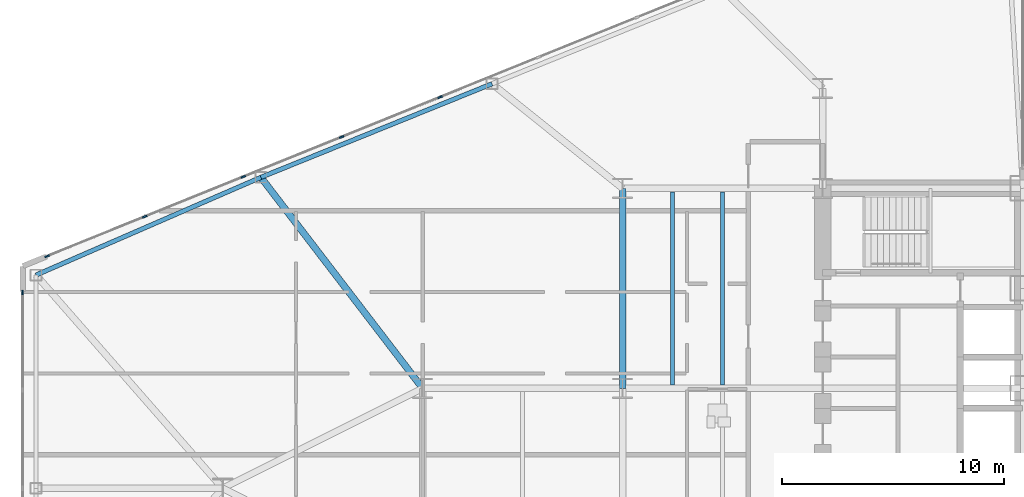
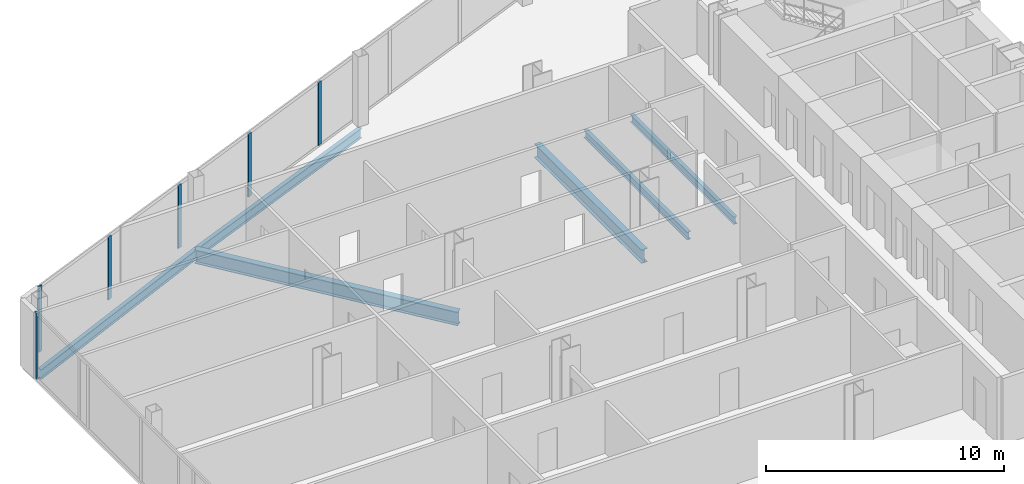
# One storey, part 6 of 25: 6 beams, 6 members, 2 elements without a shape of their own.
"""IFC4 building model written with IfcOpenShell, lengths in metres."""

from ifc_helpers import new_model, si_unit, direction, frame, origin, origin_2d, place, context, subcontext, project, spatial, rectangle, i_section, extrude, source, transform, mapped, material, layer, layer_set, material_profile, profile_set, type_object, type_shapes, element, aggregate, save


model = new_model("IFC4")

# Units and contexts
model_context = context("Model", 3, precision=1e-05, world=origin(), true_north=direction((0.0, 1.0)))
body_context = subcontext(model_context, "Body", "Model", "MODEL_VIEW")
ifc_project = project(units=[si_unit("LENGTHUNIT", "METRE"), si_unit("AREAUNIT", "SQUARE_METRE"), si_unit("VOLUMEUNIT", "CUBIC_METRE"), si_unit("PLANEANGLEUNIT", "RADIAN"), si_unit("MASSUNIT", "GRAM", prefix="KILO")], contexts=[model_context])

# Site, building, storey
site_placement = place(None, origin())
site = spatial("IfcSite", under=ifc_project, at=site_placement, CompositionType="ELEMENT")
building_placement = place(site_placement, origin())
building = spatial("IfcBuilding", under=site, at=building_placement, Name="Seokmaru Belvedere", CompositionType="ELEMENT")
storey_placement = place(building_placement, frame((0.0, 0.0, 54.89990234375)))
storey = spatial("IfcBuildingStorey", under=building, at=storey_placement, Name="L14", CompositionType="ELEMENT", Elevation=54.89990234375)

# Beams
ifc_material_1 = material(Name="Steel SM355 (355 MPa)", Category="steel")
ifc_material_profile_1 = material_profile(ifc_material_1, i_section(OverallWidth=0.300048828125, OverallDepth=0.699951171875, WebThickness=0.012939453125, FlangeThickness=0.02392578125, at=origin_2d()), Name="H-700x300x13x24")
ifc_profile_set_1 = profile_set([ifc_material_profile_1], Name="Steel SM355 (355 MPa)")
beam_type_1 = type_object("IfcBeamType", Name="Primary Floor Girder H-700", PredefinedType="BEAM", material=ifc_profile_set_1)
shared_shape_1 = source(origin(), body_context, "Body", "SweptSolid", [
    extrude(i_section(OverallWidth=0.300048828125, OverallDepth=0.699951171875, WebThickness=0.012939453125, FlangeThickness=0.02392578125, at=origin_2d()), origin(), (0.0, 0.0, 1.0), 9.0),
])
beam_1_placement = place(storey_placement, frame((-45.5, 4.5, -0.56982421875), z_axis=(0.0, 1.0, 0.0), x_axis=(-1.0, 0.0, 0.0)))
element("IfcBeam", 1, at=beam_1_placement, inside=storey, type_object=beam_type_1, Name="L14 W Interior Grid Girder 3", PredefinedType="BEAM", context=body_context, shape_type="MappedRepresentation", body=[
    mapped(shared_shape_1, transform((0.0, 0.0, 0.0), scale=1.0)),
])
ifc_material_profile_2 = material_profile(ifc_material_1, i_section(OverallWidth=0.18505859375, OverallDepth=0.389892578125, WebThickness=0.008056640625, FlangeThickness=0.011962890625, at=origin_2d()), Name="H-390x185x8x12")
ifc_profile_set_2 = profile_set([ifc_material_profile_2], Name="Steel SM355 (355 MPa)")
beam_type_2 = type_object("IfcBeamType", Name="Secondary Floor Joist H-350", PredefinedType="JOIST", material=ifc_profile_set_2)
shared_shape_2 = source(origin(), body_context, "Body", "SweptSolid", [
    extrude(i_section(OverallWidth=0.18505859375, OverallDepth=0.389892578125, WebThickness=0.008056640625, FlangeThickness=0.011962890625, at=origin_2d()), origin(), (0.0, 0.0, 1.0), 8.68994140625),
])
type_shapes(beam_type_2, [shared_shape_2])
for number, where, z_axis, x_axis, name in (
    (2, (-43.25, 4.655029296875, -0.414794921875), (0.0, 1.0, 0.0), (-1.0, 0.0, 0.0), "L14 W Wing Inner Secondary Joist 2"),
    (3, (-41.0, 4.655029296875, -0.414794921875), (0.0, 1.0, 0.0), (-1.0, 0.0, 0.0), "L14 W Secondary Floor Joist 3"),
):
    element("IfcBeam", number, at=place(storey_placement, frame(where, z_axis=z_axis, x_axis=x_axis)), inside=storey, type_object=beam_type_2, Name=name, PredefinedType="JOIST", context=body_context, shape_type="MappedRepresentation", body=[
        mapped(shared_shape_2, transform((0.0, 0.0, 0.0), scale=1.0)),
    ])
ifc_material_profile_3 = material_profile(ifc_material_1, i_section(OverallWidth=0.199951171875, OverallDepth=0.5, WebThickness=0.010009765625, FlangeThickness=0.01611328125, at=origin_2d()), Name="H-500x200x10x16")
ifc_profile_set_3 = profile_set([ifc_material_profile_3], Name="Steel SM355 (355 MPa)")
beam_type_3 = type_object("IfcBeamType", Name="Perimeter Spandrel Beam H-500", PredefinedType="SPANDREL", material=ifc_profile_set_3)
shared_shape_3 = source(origin(), body_context, "Body", "SweptSolid", [
    extrude(i_section(OverallWidth=0.199951171875, OverallDepth=0.5, WebThickness=0.010009765625, FlangeThickness=0.01611328125, at=origin_2d()), origin(), (0.0, 0.0, 1.0), 11.220703125),
])
beam_2_placement = place(storey_placement, frame((-51.378173828125, 18.2041015625, -0.469970703125), z_axis=(-0.926944290816, -0.375198989503, 0.0), x_axis=(0.375198989503, -0.926944290816, 0.0)))
element("IfcBeam", 4, at=beam_2_placement, inside=storey, type_object=beam_type_3, Name="L14 W Faceted Flank Spandrel N-3", PredefinedType="SPANDREL", context=body_context, shape_type="MappedRepresentation", body=[
    mapped(shared_shape_3, transform((0.0, 0.0, 0.0), scale=1.0)),
])
shared_shape_4 = source(origin(), body_context, "Body", "SweptSolid", [
    extrude(i_section(OverallWidth=0.199951171875, OverallDepth=0.5, WebThickness=0.010009765625, FlangeThickness=0.01611328125, at=origin_2d()), origin(), (0.0, 0.0, 1.0), 11.035400390625),
])
type_shapes(beam_type_3, [shared_shape_3, shared_shape_4])
beam_3_placement = place(storey_placement, frame((-61.779052734375, 13.994140625, -0.469970703125), z_axis=(-0.917134058682, -0.398578873507, 0.0), x_axis=(0.398578873507, -0.917134058682, 0.0)))
element("IfcBeam", 5, at=beam_3_placement, inside=storey, type_object=beam_type_3, Name="L14 W Faceted Flank Spandrel N-4", PredefinedType="SPANDREL", context=body_context, shape_type="MappedRepresentation", body=[
    mapped(shared_shape_4, transform((0.0, 0.0, 0.0), scale=1.0)),
])
shared_shape_5 = source(origin(), body_context, "Body", "SweptSolid", [
    extrude(i_section(OverallWidth=0.300048828125, OverallDepth=0.699951171875, WebThickness=0.012939453125, FlangeThickness=0.02392578125, at=origin_2d()), origin(), (0.0, 0.0, 1.0), 11.96337890625),
])
type_shapes(beam_type_1, [shared_shape_1, shared_shape_5])
beam_4_placement = place(storey_placement, frame((-61.779052734375, 13.994140625, -0.56982421875), z_axis=(0.608442682624, -0.793597821294, 0.0), x_axis=(0.793597821294, 0.608442682624, 0.0)))
element("IfcBeam", 6, at=beam_4_placement, inside=storey, type_object=beam_type_1, Name="L14 W Flank Radial Floor Girder N-3", PredefinedType="BEAM", context=body_context, shape_type="MappedRepresentation", body=[
    mapped(shared_shape_5, transform((0.0, 0.0, 0.0), scale=1.0)),
])

# Curtain wall, member
ifc_material_2 = material(Name="Bronze Triple Insulating Glass", Category="glass")
ifc_layer = layer(ifc_material_2, 0.2099609375)
ifc_layer_set = layer_set([ifc_layer], Name="Bronze Triple Insulating Glass")
curtain_wall_type = type_object("IfcCurtainWallType", Name="Low-Rise Faceted Crystal Curtain Wall System CW-2", PredefinedType="NOTDEFINED", material=ifc_layer_set)
curtain_wall_1_placement = place(storey_placement, origin())
curtain_wall_1 = element("IfcCurtainWall", 7, at=curtain_wall_1_placement, inside=storey, type_object=curtain_wall_type, Name="L14 Curtain Wall WF3", PredefinedType="NOTDEFINED")
ifc_material_3 = material(Name="Anodised Bronze Aluminium", Category="aluminium")
ifc_material_profile_4 = material_profile(ifc_material_3, rectangle(XDim=0.074951171875, YDim=0.2099609375, at=origin_2d()), Name="CW-M-75x210")
ifc_profile_set_4 = profile_set([ifc_material_profile_4], Name="Anodised Bronze Aluminium")
member_type = type_object("IfcMemberType", Name="Bronze Unitised Mullion 75x210", PredefinedType="MULLION", material=ifc_profile_set_4)
shared_shape_6 = source(origin(), body_context, "Body", "SweptSolid", [
    extrude(rectangle(XDim=0.074951171875, YDim=0.2099609375, at=origin_2d()), origin(), (0.0, 0.0, 1.0), 3.380126953125),
])
member_1_placement = place(storey_placement, frame((-71.399169921875, 10.445556640625, 0.0), z_axis=(0.0, 0.0, 1.0), x_axis=(0.375192321888, -0.926946989637, 0.0)))
member_1 = element("IfcMember", 8, at=member_1_placement, type_object=member_type, Name="CW:L14:WF3 Mullion 10", PredefinedType="MULLION", context=body_context, shape_type="MappedRepresentation", body=[
    mapped(shared_shape_6, transform((0.0, 0.0, 0.0), scale=1.0)),
])

curtain_wall_2_placement = place(storey_placement, origin())
curtain_wall_2 = element("IfcCurtainWall", 9, at=curtain_wall_2_placement, inside=storey, type_object=curtain_wall_type, Name="L14 Curtain Wall WF4", PredefinedType="NOTDEFINED")
member_2_placement = place(storey_placement, frame((-72.5, 8.8125, 0.0), z_axis=(0.0, 0.0, 1.0), x_axis=(1.0, 0.0, 0.0)))
member_2 = element("IfcMember", 10, at=member_2_placement, type_object=member_type, Name="CW:L14:WF4 Mullion 1", PredefinedType="MULLION", context=body_context, shape_type="MappedRepresentation", body=[
    mapped(shared_shape_6, transform((0.0, 0.0, 0.0), scale=1.0)),
])
aggregate(curtain_wall_2, [member_2])

# Member
shared_shape_7 = source(origin(), body_context, "Body", "SweptSolid", [
    extrude(rectangle(XDim=0.074951171875, YDim=0.2099609375, at=origin_2d()), origin(), (0.0, 0.0, 1.0), 3.239990234375),
])
type_shapes(member_type, [shared_shape_6, shared_shape_7])
member_3_placement = place(storey_placement, frame((-53.71484375, 17.603515625, 0.070068359375), z_axis=(0.0, 0.0, 1.0), x_axis=(0.375192321888, -0.926946989637, 0.0)))
member_3 = element("IfcMember", 11, at=member_3_placement, type_object=member_type, Name="CW:L14:WF3 Mullion 6", PredefinedType="MULLION", context=body_context, shape_type="MappedRepresentation", body=[
    mapped(shared_shape_7, transform((0.0, 0.0, 0.0), scale=1.0)),
])

member_4_placement = place(storey_placement, frame((-58.144775390625, 15.810546875, 0.070068359375), z_axis=(0.0, 0.0, 1.0), x_axis=(0.375192321888, -0.926946989637, 0.0)))
member_4 = element("IfcMember", 12, at=member_4_placement, type_object=member_type, Name="CW:L14:WF3 Mullion 7", PredefinedType="MULLION", context=body_context, shape_type="MappedRepresentation", body=[
    mapped(shared_shape_7, transform((0.0, 0.0, 0.0), scale=1.0)),
])

member_5_placement = place(storey_placement, frame((-62.574462890625, 14.017578125, 0.070068359375), z_axis=(0.0, 0.0, 1.0), x_axis=(0.375192321888, -0.926946989637, 0.0)))
member_5 = element("IfcMember", 13, at=member_5_placement, type_object=member_type, Name="CW:L14:WF3 Mullion 8", PredefinedType="MULLION", context=body_context, shape_type="MappedRepresentation", body=[
    mapped(shared_shape_7, transform((0.0, 0.0, 0.0), scale=1.0)),
])

member_6_placement = place(storey_placement, frame((-67.004150390625, 12.224609375, 0.070068359375), z_axis=(0.0, 0.0, 1.0), x_axis=(0.375192321888, -0.926946989637, 0.0)))
member_6 = element("IfcMember", 14, at=member_6_placement, type_object=member_type, Name="CW:L14:WF3 Mullion 9", PredefinedType="MULLION", context=body_context, shape_type="MappedRepresentation", body=[
    mapped(shared_shape_7, transform((0.0, 0.0, 0.0), scale=1.0)),
])

aggregate(curtain_wall_1, [member_3, member_4, member_5, member_6, member_1])

save(model, "model.ifc")
